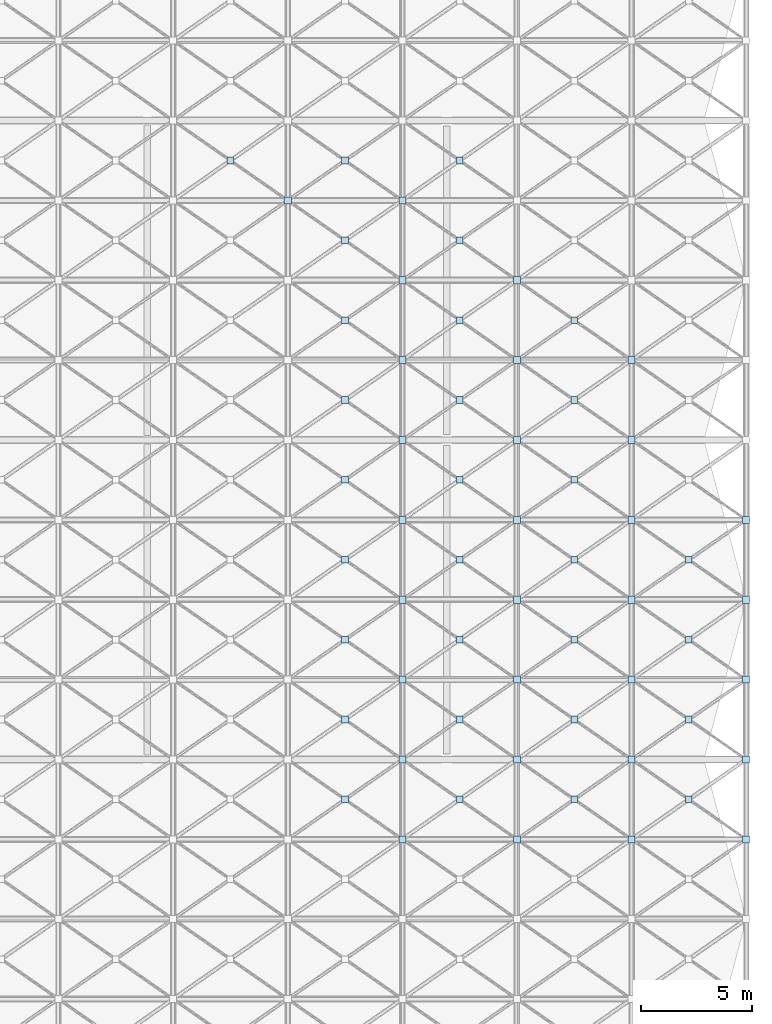
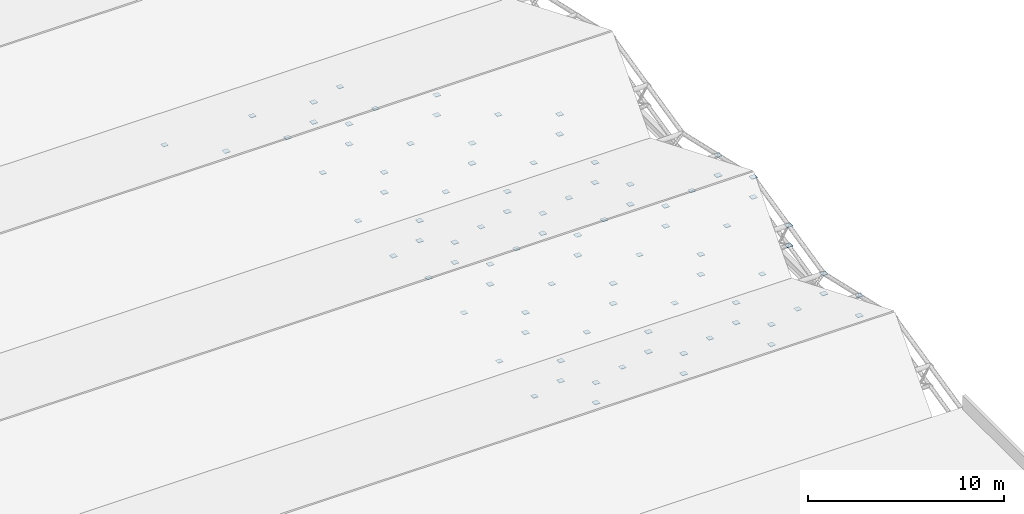
# One storey, part 96 of 110: 89 plates.
"""IFC4 building model written with IfcOpenShell, lengths in metres."""

from ifc_helpers import new_model, si_unit, direction, frame, origin, origin_2d, place, context, subcontext, project, spatial, rectangle, extrude, material, layer, layer_set, type_object, element, save


model = new_model("IFC4")

# Units and contexts
model_context = context("Model", 3, precision=1e-05, world=origin(), true_north=direction((0.0, 1.0)))
body_context = subcontext(model_context, "Body", "Model", "MODEL_VIEW")
ifc_project = project(units=[si_unit("LENGTHUNIT", "METRE"), si_unit("AREAUNIT", "SQUARE_METRE"), si_unit("VOLUMEUNIT", "CUBIC_METRE"), si_unit("PLANEANGLEUNIT", "RADIAN"), si_unit("MASSUNIT", "GRAM", prefix="KILO")], contexts=[model_context])

# Site, building, storey
site_placement = place(None, origin())
site = spatial("IfcSite", under=ifc_project, at=site_placement, CompositionType="ELEMENT")
building_placement = place(site_placement, origin())
building = spatial("IfcBuilding", under=site, at=building_placement, Name="Tamarisk Ironworks Central Station", CompositionType="ELEMENT")
storey_placement = place(building_placement, frame((0.0, 0.0, 17.39990234375)))
storey = spatial("IfcBuildingStorey", under=building, at=storey_placement, Name="L03", CompositionType="ELEMENT", Elevation=17.39990234375)

# Plates
ifc_material = material(Name="Structural steel S355J2H", Category="steel")
ifc_layer = layer(ifc_material, 0.02587890625)
ifc_layer_set = layer_set([ifc_layer], Name="Structural steel S355J2H")
plate_type = type_object("IfcPlateType", Name="PL-ND26", PredefinedType="SHEET", material=ifc_layer_set)
plate_1_placement = place(storey_placement, frame((164.5, 32.39990234375, 0.342041015625), z_axis=(0.0, 0.0, 1.0), x_axis=(1.0, 0.0, 0.0)))
element("IfcPlate", 1, at=plate_1_placement, inside=storey, type_object=plate_type, Name="Space-frame collector node plate 0616", PredefinedType="SHEET", context=body_context, shape_type="SweptSolid", body=[
    extrude(rectangle(XDim=0.320068359375, YDim=0.320068359375, at=origin_2d()), origin(), (0.0, 0.0, 1.0), 0.02587890625),
])
plate_2_placement = place(storey_placement, frame((161.916748046875, 34.199951171875, -0.6953125), z_axis=(0.0, 0.0, 1.0), x_axis=(1.0, 0.0, 0.0)))
element("IfcPlate", 2, at=plate_2_placement, inside=storey, type_object=plate_type, Name="Space-frame X-brace crossing gusset plate 0617", PredefinedType="SHEET", context=body_context, shape_type="SweptSolid", body=[
    extrude(rectangle(XDim=0.300048828125, YDim=0.300048828125, at=origin_2d()), origin(), (0.0, 0.0, 1.0), 0.02587890625),
])
for number, where, z_axis, x_axis, name in (
    (3, (164.5, 32.39990234375, -0.907958984375), (0.0, 0.0, 1.0), (1.0, 0.0, 0.0), "Space-frame collector node plate 0618"),
    (4, (164.5, 36.0, -0.48291015625), (0.0, 0.0, 1.0), (1.0, 0.0, 0.0), "Space-frame collector node plate 0619"),
    (5, (169.666748046875, 32.39990234375, 0.342041015625), (0.0, 0.0, 1.0), (1.0, 0.0, 0.0), "Space-frame collector node plate 0627"),
):
    element("IfcPlate", number, at=place(storey_placement, frame(where, z_axis=z_axis, x_axis=x_axis)), inside=storey, type_object=plate_type, Name=name, PredefinedType="SHEET", context=body_context, shape_type="SweptSolid", body=[
        extrude(rectangle(XDim=0.320068359375, YDim=0.320068359375, at=origin_2d()), origin(), (0.0, 0.0, 1.0), 0.02587890625),
    ])
plate_3_placement = place(storey_placement, frame((167.083251953125, 34.199951171875, -0.6953125), z_axis=(0.0, 0.0, 1.0), x_axis=(1.0, 0.0, 0.0)))
element("IfcPlate", 6, at=plate_3_placement, inside=storey, type_object=plate_type, Name="Space-frame X-brace crossing gusset plate 0628", PredefinedType="SHEET", context=body_context, shape_type="SweptSolid", body=[
    extrude(rectangle(XDim=0.300048828125, YDim=0.300048828125, at=origin_2d()), origin(), (0.0, 0.0, 1.0), 0.02587890625),
])
for number, where, z_axis, x_axis, name in (
    (7, (169.666748046875, 32.39990234375, -0.907958984375), (0.0, 0.0, 1.0), (1.0, 0.0, 0.0), "Space-frame collector node plate 0629"),
    (8, (169.666748046875, 36.0, -0.48291015625), (0.0, 0.0, 1.0), (1.0, 0.0, 0.0), "Space-frame collector node plate 0630"),
    (9, (174.833251953125, 32.39990234375, 0.342041015625), (0.0, 0.0, 1.0), (1.0, 0.0, 0.0), "Space-frame collector node plate 0639"),
):
    element("IfcPlate", number, at=place(storey_placement, frame(where, z_axis=z_axis, x_axis=x_axis)), inside=storey, type_object=plate_type, Name=name, PredefinedType="SHEET", context=body_context, shape_type="SweptSolid", body=[
        extrude(rectangle(XDim=0.320068359375, YDim=0.320068359375, at=origin_2d()), origin(), (0.0, 0.0, 1.0), 0.02587890625),
    ])
plate_4_placement = place(storey_placement, frame((172.25, 34.199951171875, -0.6953125), z_axis=(0.0, 0.0, 1.0), x_axis=(1.0, 0.0, 0.0)))
element("IfcPlate", 10, at=plate_4_placement, inside=storey, type_object=plate_type, Name="Space-frame X-brace crossing gusset plate 0640", PredefinedType="SHEET", context=body_context, shape_type="SweptSolid", body=[
    extrude(rectangle(XDim=0.300048828125, YDim=0.300048828125, at=origin_2d()), origin(), (0.0, 0.0, 1.0), 0.02587890625),
])
for number, where, z_axis, x_axis, name in (
    (11, (174.833251953125, 32.39990234375, -0.907958984375), (0.0, 0.0, 1.0), (1.0, 0.0, 0.0), "Space-frame collector node plate 0641"),
    (12, (174.833251953125, 36.0, -0.48291015625), (0.0, 0.0, 1.0), (1.0, 0.0, 0.0), "Space-frame collector node plate 0642"),
    (13, (180.0, 32.39990234375, 0.342041015625), (0.0, 0.0, 1.0), (1.0, 0.0, 0.0), "Space-frame collector node plate 0651"),
):
    element("IfcPlate", number, at=place(storey_placement, frame(where, z_axis=z_axis, x_axis=x_axis)), inside=storey, type_object=plate_type, Name=name, PredefinedType="SHEET", context=body_context, shape_type="SweptSolid", body=[
        extrude(rectangle(XDim=0.320068359375, YDim=0.320068359375, at=origin_2d()), origin(), (0.0, 0.0, 1.0), 0.02587890625),
    ])
plate_5_placement = place(storey_placement, frame((177.416748046875, 34.199951171875, -0.6953125), z_axis=(0.0, 0.0, 1.0), x_axis=(1.0, 0.0, 0.0)))
element("IfcPlate", 14, at=plate_5_placement, inside=storey, type_object=plate_type, Name="Space-frame X-brace crossing gusset plate 0652", PredefinedType="SHEET", context=body_context, shape_type="SweptSolid", body=[
    extrude(rectangle(XDim=0.300048828125, YDim=0.300048828125, at=origin_2d()), origin(), (0.0, 0.0, 1.0), 0.02587890625),
])
for number, where, z_axis, x_axis, name in (
    (15, (180.0, 32.39990234375, -0.907958984375), (0.0, 0.0, 1.0), (1.0, 0.0, 0.0), "Space-frame collector node plate 0653"),
    (16, (180.0, 36.0, -0.48291015625), (0.0, 0.0, 1.0), (1.0, 0.0, 0.0), "Space-frame collector node plate 0654"),
):
    element("IfcPlate", number, at=place(storey_placement, frame(where, z_axis=z_axis, x_axis=x_axis)), inside=storey, type_object=plate_type, Name=name, PredefinedType="SHEET", context=body_context, shape_type="SweptSolid", body=[
        extrude(rectangle(XDim=0.320068359375, YDim=0.320068359375, at=origin_2d()), origin(), (0.0, 0.0, 1.0), 0.02587890625),
    ])
plate_6_placement = place(storey_placement, frame((161.916748046875, 37.800048828125, -0.6953125), z_axis=(0.0, 0.0, 1.0), x_axis=(1.0, 0.0, 0.0)))
element("IfcPlate", 17, at=plate_6_placement, inside=storey, type_object=plate_type, Name="Space-frame X-brace crossing gusset plate 0759", PredefinedType="SHEET", context=body_context, shape_type="SweptSolid", body=[
    extrude(rectangle(XDim=0.300048828125, YDim=0.300048828125, at=origin_2d()), origin(), (0.0, 0.0, 1.0), 0.02587890625),
])
for number, where, z_axis, x_axis, name in (
    (18, (164.5, 36.0, -1.73291015625), (0.0, 0.0, 1.0), (1.0, 0.0, 0.0), "Space-frame collector node plate 0760"),
    (19, (164.5, 39.60009765625, 0.342041015625), (0.0, 0.0, 1.0), (1.0, 0.0, 0.0), "Space-frame collector node plate 0761"),
):
    element("IfcPlate", number, at=place(storey_placement, frame(where, z_axis=z_axis, x_axis=x_axis)), inside=storey, type_object=plate_type, Name=name, PredefinedType="SHEET", context=body_context, shape_type="SweptSolid", body=[
        extrude(rectangle(XDim=0.320068359375, YDim=0.320068359375, at=origin_2d()), origin(), (0.0, 0.0, 1.0), 0.02587890625),
    ])
plate_7_placement = place(storey_placement, frame((161.916748046875, 41.39990234375, 0.129638671875), z_axis=(0.0, 0.0, 1.0), x_axis=(1.0, 0.0, 0.0)))
element("IfcPlate", 20, at=plate_7_placement, inside=storey, type_object=plate_type, Name="Space-frame X-brace crossing gusset plate 0762", PredefinedType="SHEET", context=body_context, shape_type="SweptSolid", body=[
    extrude(rectangle(XDim=0.300048828125, YDim=0.300048828125, at=origin_2d()), origin(), (0.0, 0.0, 1.0), 0.02587890625),
])
for number, where, z_axis, x_axis, name in (
    (21, (164.5, 39.60009765625, -0.907958984375), (0.0, 0.0, 1.0), (1.0, 0.0, 0.0), "Space-frame collector node plate 0763"),
    (22, (164.5, 43.199951171875, 1.167236328125), (0.0, 0.0, 1.0), (1.0, 0.0, 0.0), "Space-frame collector node plate 0764"),
):
    element("IfcPlate", number, at=place(storey_placement, frame(where, z_axis=z_axis, x_axis=x_axis)), inside=storey, type_object=plate_type, Name=name, PredefinedType="SHEET", context=body_context, shape_type="SweptSolid", body=[
        extrude(rectangle(XDim=0.320068359375, YDim=0.320068359375, at=origin_2d()), origin(), (0.0, 0.0, 1.0), 0.02587890625),
    ])
plate_8_placement = place(storey_placement, frame((161.916748046875, 45.0, 0.129638671875), z_axis=(0.0, 0.0, 1.0), x_axis=(1.0, 0.0, 0.0)))
element("IfcPlate", 23, at=plate_8_placement, inside=storey, type_object=plate_type, Name="Space-frame X-brace crossing gusset plate 0765", PredefinedType="SHEET", context=body_context, shape_type="SweptSolid", body=[
    extrude(rectangle(XDim=0.300048828125, YDim=0.300048828125, at=origin_2d()), origin(), (0.0, 0.0, 1.0), 0.02587890625),
])
for number, where, z_axis, x_axis, name in (
    (24, (164.5, 43.199951171875, -0.082763671875), (0.0, 0.0, 1.0), (1.0, 0.0, 0.0), "Space-frame collector node plate 0766"),
    (25, (164.5, 46.800048828125, 0.342041015625), (0.0, 0.0, 1.0), (1.0, 0.0, 0.0), "Space-frame collector node plate 0767"),
):
    element("IfcPlate", number, at=place(storey_placement, frame(where, z_axis=z_axis, x_axis=x_axis)), inside=storey, type_object=plate_type, Name=name, PredefinedType="SHEET", context=body_context, shape_type="SweptSolid", body=[
        extrude(rectangle(XDim=0.320068359375, YDim=0.320068359375, at=origin_2d()), origin(), (0.0, 0.0, 1.0), 0.02587890625),
    ])
plate_9_placement = place(storey_placement, frame((161.916748046875, 48.60009765625, -0.6953125), z_axis=(0.0, 0.0, 1.0), x_axis=(1.0, 0.0, 0.0)))
element("IfcPlate", 26, at=plate_9_placement, inside=storey, type_object=plate_type, Name="Space-frame X-brace crossing gusset plate 0768", PredefinedType="SHEET", context=body_context, shape_type="SweptSolid", body=[
    extrude(rectangle(XDim=0.300048828125, YDim=0.300048828125, at=origin_2d()), origin(), (0.0, 0.0, 1.0), 0.02587890625),
])
for number, where, z_axis, x_axis, name in (
    (27, (164.5, 46.800048828125, -0.907958984375), (0.0, 0.0, 1.0), (1.0, 0.0, 0.0), "Space-frame collector node plate 0769"),
    (28, (164.5, 50.39990234375, -0.48291015625), (0.0, 0.0, 1.0), (1.0, 0.0, 0.0), "Space-frame collector node plate 0770"),
):
    element("IfcPlate", number, at=place(storey_placement, frame(where, z_axis=z_axis, x_axis=x_axis)), inside=storey, type_object=plate_type, Name=name, PredefinedType="SHEET", context=body_context, shape_type="SweptSolid", body=[
        extrude(rectangle(XDim=0.320068359375, YDim=0.320068359375, at=origin_2d()), origin(), (0.0, 0.0, 1.0), 0.02587890625),
    ])
plate_10_placement = place(storey_placement, frame((167.083251953125, 37.800048828125, -0.6953125), z_axis=(0.0, 0.0, 1.0), x_axis=(1.0, 0.0, 0.0)))
element("IfcPlate", 29, at=plate_10_placement, inside=storey, type_object=plate_type, Name="Space-frame X-brace crossing gusset plate 0771", PredefinedType="SHEET", context=body_context, shape_type="SweptSolid", body=[
    extrude(rectangle(XDim=0.300048828125, YDim=0.300048828125, at=origin_2d()), origin(), (0.0, 0.0, 1.0), 0.02587890625),
])
for number, where, z_axis, x_axis, name in (
    (30, (169.666748046875, 36.0, -1.73291015625), (0.0, 0.0, 1.0), (1.0, 0.0, 0.0), "Space-frame collector node plate 0772"),
    (31, (169.666748046875, 39.60009765625, 0.342041015625), (0.0, 0.0, 1.0), (1.0, 0.0, 0.0), "Space-frame collector node plate 0773"),
):
    element("IfcPlate", number, at=place(storey_placement, frame(where, z_axis=z_axis, x_axis=x_axis)), inside=storey, type_object=plate_type, Name=name, PredefinedType="SHEET", context=body_context, shape_type="SweptSolid", body=[
        extrude(rectangle(XDim=0.320068359375, YDim=0.320068359375, at=origin_2d()), origin(), (0.0, 0.0, 1.0), 0.02587890625),
    ])
plate_11_placement = place(storey_placement, frame((167.083251953125, 41.39990234375, 0.129638671875), z_axis=(0.0, 0.0, 1.0), x_axis=(1.0, 0.0, 0.0)))
element("IfcPlate", 32, at=plate_11_placement, inside=storey, type_object=plate_type, Name="Space-frame X-brace crossing gusset plate 0774", PredefinedType="SHEET", context=body_context, shape_type="SweptSolid", body=[
    extrude(rectangle(XDim=0.300048828125, YDim=0.300048828125, at=origin_2d()), origin(), (0.0, 0.0, 1.0), 0.02587890625),
])
for number, where, z_axis, x_axis, name in (
    (33, (169.666748046875, 39.60009765625, -0.907958984375), (0.0, 0.0, 1.0), (1.0, 0.0, 0.0), "Space-frame collector node plate 0775"),
    (34, (169.666748046875, 43.199951171875, 1.167236328125), (0.0, 0.0, 1.0), (1.0, 0.0, 0.0), "Space-frame collector node plate 0776"),
):
    element("IfcPlate", number, at=place(storey_placement, frame(where, z_axis=z_axis, x_axis=x_axis)), inside=storey, type_object=plate_type, Name=name, PredefinedType="SHEET", context=body_context, shape_type="SweptSolid", body=[
        extrude(rectangle(XDim=0.320068359375, YDim=0.320068359375, at=origin_2d()), origin(), (0.0, 0.0, 1.0), 0.02587890625),
    ])
plate_12_placement = place(storey_placement, frame((167.083251953125, 45.0, 0.129638671875), z_axis=(0.0, 0.0, 1.0), x_axis=(1.0, 0.0, 0.0)))
element("IfcPlate", 35, at=plate_12_placement, inside=storey, type_object=plate_type, Name="Space-frame X-brace crossing gusset plate 0777", PredefinedType="SHEET", context=body_context, shape_type="SweptSolid", body=[
    extrude(rectangle(XDim=0.300048828125, YDim=0.300048828125, at=origin_2d()), origin(), (0.0, 0.0, 1.0), 0.02587890625),
])
for number, where, z_axis, x_axis, name in (
    (36, (169.666748046875, 43.199951171875, -0.082763671875), (0.0, 0.0, 1.0), (1.0, 0.0, 0.0), "Space-frame collector node plate 0778"),
    (37, (169.666748046875, 46.800048828125, 0.342041015625), (0.0, 0.0, 1.0), (1.0, 0.0, 0.0), "Space-frame collector node plate 0779"),
):
    element("IfcPlate", number, at=place(storey_placement, frame(where, z_axis=z_axis, x_axis=x_axis)), inside=storey, type_object=plate_type, Name=name, PredefinedType="SHEET", context=body_context, shape_type="SweptSolid", body=[
        extrude(rectangle(XDim=0.320068359375, YDim=0.320068359375, at=origin_2d()), origin(), (0.0, 0.0, 1.0), 0.02587890625),
    ])
plate_13_placement = place(storey_placement, frame((167.083251953125, 48.60009765625, -0.6953125), z_axis=(0.0, 0.0, 1.0), x_axis=(1.0, 0.0, 0.0)))
element("IfcPlate", 38, at=plate_13_placement, inside=storey, type_object=plate_type, Name="Space-frame X-brace crossing gusset plate 0780", PredefinedType="SHEET", context=body_context, shape_type="SweptSolid", body=[
    extrude(rectangle(XDim=0.300048828125, YDim=0.300048828125, at=origin_2d()), origin(), (0.0, 0.0, 1.0), 0.02587890625),
])
for number, where, z_axis, x_axis, name in (
    (39, (169.666748046875, 46.800048828125, -0.907958984375), (0.0, 0.0, 1.0), (1.0, 0.0, 0.0), "Space-frame collector node plate 0781"),
    (40, (169.666748046875, 50.39990234375, -0.48291015625), (0.0, 0.0, 1.0), (1.0, 0.0, 0.0), "Space-frame collector node plate 0782"),
):
    element("IfcPlate", number, at=place(storey_placement, frame(where, z_axis=z_axis, x_axis=x_axis)), inside=storey, type_object=plate_type, Name=name, PredefinedType="SHEET", context=body_context, shape_type="SweptSolid", body=[
        extrude(rectangle(XDim=0.320068359375, YDim=0.320068359375, at=origin_2d()), origin(), (0.0, 0.0, 1.0), 0.02587890625),
    ])
plate_14_placement = place(storey_placement, frame((172.25, 37.800048828125, -0.6953125), z_axis=(0.0, 0.0, 1.0), x_axis=(1.0, 0.0, 0.0)))
element("IfcPlate", 41, at=plate_14_placement, inside=storey, type_object=plate_type, Name="Space-frame X-brace crossing gusset plate 0783", PredefinedType="SHEET", context=body_context, shape_type="SweptSolid", body=[
    extrude(rectangle(XDim=0.300048828125, YDim=0.300048828125, at=origin_2d()), origin(), (0.0, 0.0, 1.0), 0.02587890625),
])
for number, where, z_axis, x_axis, name in (
    (42, (174.833251953125, 36.0, -1.73291015625), (0.0, 0.0, 1.0), (1.0, 0.0, 0.0), "Space-frame collector node plate 0784"),
    (43, (174.833251953125, 39.60009765625, 0.342041015625), (0.0, 0.0, 1.0), (1.0, 0.0, 0.0), "Space-frame collector node plate 0785"),
):
    element("IfcPlate", number, at=place(storey_placement, frame(where, z_axis=z_axis, x_axis=x_axis)), inside=storey, type_object=plate_type, Name=name, PredefinedType="SHEET", context=body_context, shape_type="SweptSolid", body=[
        extrude(rectangle(XDim=0.320068359375, YDim=0.320068359375, at=origin_2d()), origin(), (0.0, 0.0, 1.0), 0.02587890625),
    ])
plate_15_placement = place(storey_placement, frame((172.25, 41.39990234375, 0.129638671875), z_axis=(0.0, 0.0, 1.0), x_axis=(1.0, 0.0, 0.0)))
element("IfcPlate", 44, at=plate_15_placement, inside=storey, type_object=plate_type, Name="Space-frame X-brace crossing gusset plate 0786", PredefinedType="SHEET", context=body_context, shape_type="SweptSolid", body=[
    extrude(rectangle(XDim=0.300048828125, YDim=0.300048828125, at=origin_2d()), origin(), (0.0, 0.0, 1.0), 0.02587890625),
])
for number, where, z_axis, x_axis, name in (
    (45, (174.833251953125, 39.60009765625, -0.907958984375), (0.0, 0.0, 1.0), (1.0, 0.0, 0.0), "Space-frame collector node plate 0787"),
    (46, (174.833251953125, 43.199951171875, 1.167236328125), (0.0, 0.0, 1.0), (1.0, 0.0, 0.0), "Space-frame collector node plate 0788"),
):
    element("IfcPlate", number, at=place(storey_placement, frame(where, z_axis=z_axis, x_axis=x_axis)), inside=storey, type_object=plate_type, Name=name, PredefinedType="SHEET", context=body_context, shape_type="SweptSolid", body=[
        extrude(rectangle(XDim=0.320068359375, YDim=0.320068359375, at=origin_2d()), origin(), (0.0, 0.0, 1.0), 0.02587890625),
    ])
plate_16_placement = place(storey_placement, frame((172.25, 45.0, 0.129638671875), z_axis=(0.0, 0.0, 1.0), x_axis=(1.0, 0.0, 0.0)))
element("IfcPlate", 47, at=plate_16_placement, inside=storey, type_object=plate_type, Name="Space-frame X-brace crossing gusset plate 0789", PredefinedType="SHEET", context=body_context, shape_type="SweptSolid", body=[
    extrude(rectangle(XDim=0.300048828125, YDim=0.300048828125, at=origin_2d()), origin(), (0.0, 0.0, 1.0), 0.02587890625),
])
for number, where, z_axis, x_axis, name in (
    (48, (174.833251953125, 43.199951171875, -0.082763671875), (0.0, 0.0, 1.0), (1.0, 0.0, 0.0), "Space-frame collector node plate 0790"),
    (49, (174.833251953125, 46.800048828125, 0.342041015625), (0.0, 0.0, 1.0), (1.0, 0.0, 0.0), "Space-frame collector node plate 0791"),
):
    element("IfcPlate", number, at=place(storey_placement, frame(where, z_axis=z_axis, x_axis=x_axis)), inside=storey, type_object=plate_type, Name=name, PredefinedType="SHEET", context=body_context, shape_type="SweptSolid", body=[
        extrude(rectangle(XDim=0.320068359375, YDim=0.320068359375, at=origin_2d()), origin(), (0.0, 0.0, 1.0), 0.02587890625),
    ])
plate_17_placement = place(storey_placement, frame((172.25, 48.60009765625, -0.6953125), z_axis=(0.0, 0.0, 1.0), x_axis=(1.0, 0.0, 0.0)))
element("IfcPlate", 50, at=plate_17_placement, inside=storey, type_object=plate_type, Name="Space-frame X-brace crossing gusset plate 0792", PredefinedType="SHEET", context=body_context, shape_type="SweptSolid", body=[
    extrude(rectangle(XDim=0.300048828125, YDim=0.300048828125, at=origin_2d()), origin(), (0.0, 0.0, 1.0), 0.02587890625),
])
for number, where, z_axis, x_axis, name in (
    (51, (174.833251953125, 46.800048828125, -0.907958984375), (0.0, 0.0, 1.0), (1.0, 0.0, 0.0), "Space-frame collector node plate 0793"),
    (52, (174.833251953125, 50.39990234375, -0.48291015625), (0.0, 0.0, 1.0), (1.0, 0.0, 0.0), "Space-frame collector node plate 0794"),
):
    element("IfcPlate", number, at=place(storey_placement, frame(where, z_axis=z_axis, x_axis=x_axis)), inside=storey, type_object=plate_type, Name=name, PredefinedType="SHEET", context=body_context, shape_type="SweptSolid", body=[
        extrude(rectangle(XDim=0.320068359375, YDim=0.320068359375, at=origin_2d()), origin(), (0.0, 0.0, 1.0), 0.02587890625),
    ])
plate_18_placement = place(storey_placement, frame((177.416748046875, 37.800048828125, -0.6953125), z_axis=(0.0, 0.0, 1.0), x_axis=(1.0, 0.0, 0.0)))
element("IfcPlate", 53, at=plate_18_placement, inside=storey, type_object=plate_type, Name="Space-frame X-brace crossing gusset plate 0795", PredefinedType="SHEET", context=body_context, shape_type="SweptSolid", body=[
    extrude(rectangle(XDim=0.300048828125, YDim=0.300048828125, at=origin_2d()), origin(), (0.0, 0.0, 1.0), 0.02587890625),
])
for number, where, z_axis, x_axis, name in (
    (54, (180.0, 36.0, -1.73291015625), (0.0, 0.0, 1.0), (1.0, 0.0, 0.0), "Space-frame collector node plate 0796"),
    (55, (180.0, 39.60009765625, 0.342041015625), (0.0, 0.0, 1.0), (1.0, 0.0, 0.0), "Space-frame collector node plate 0797"),
):
    element("IfcPlate", number, at=place(storey_placement, frame(where, z_axis=z_axis, x_axis=x_axis)), inside=storey, type_object=plate_type, Name=name, PredefinedType="SHEET", context=body_context, shape_type="SweptSolid", body=[
        extrude(rectangle(XDim=0.320068359375, YDim=0.320068359375, at=origin_2d()), origin(), (0.0, 0.0, 1.0), 0.02587890625),
    ])
plate_19_placement = place(storey_placement, frame((177.416748046875, 41.39990234375, 0.129638671875), z_axis=(0.0, 0.0, 1.0), x_axis=(1.0, 0.0, 0.0)))
element("IfcPlate", 56, at=plate_19_placement, inside=storey, type_object=plate_type, Name="Space-frame X-brace crossing gusset plate 0798", PredefinedType="SHEET", context=body_context, shape_type="SweptSolid", body=[
    extrude(rectangle(XDim=0.300048828125, YDim=0.300048828125, at=origin_2d()), origin(), (0.0, 0.0, 1.0), 0.02587890625),
])
for number, where, z_axis, x_axis, name in (
    (57, (180.0, 39.60009765625, -0.907958984375), (0.0, 0.0, 1.0), (1.0, 0.0, 0.0), "Space-frame collector node plate 0799"),
    (58, (180.0, 43.199951171875, 1.167236328125), (0.0, 0.0, 1.0), (1.0, 0.0, 0.0), "Space-frame collector node plate 0800"),
):
    element("IfcPlate", number, at=place(storey_placement, frame(where, z_axis=z_axis, x_axis=x_axis)), inside=storey, type_object=plate_type, Name=name, PredefinedType="SHEET", context=body_context, shape_type="SweptSolid", body=[
        extrude(rectangle(XDim=0.320068359375, YDim=0.320068359375, at=origin_2d()), origin(), (0.0, 0.0, 1.0), 0.02587890625),
    ])
plate_20_placement = place(storey_placement, frame((177.416748046875, 45.0, 0.129638671875), z_axis=(0.0, 0.0, 1.0), x_axis=(1.0, 0.0, 0.0)))
element("IfcPlate", 59, at=plate_20_placement, inside=storey, type_object=plate_type, Name="Space-frame X-brace crossing gusset plate 0801", PredefinedType="SHEET", context=body_context, shape_type="SweptSolid", body=[
    extrude(rectangle(XDim=0.300048828125, YDim=0.300048828125, at=origin_2d()), origin(), (0.0, 0.0, 1.0), 0.02587890625),
])
for number, where, z_axis, x_axis, name in (
    (60, (180.0, 43.199951171875, -0.082763671875), (0.0, 0.0, 1.0), (1.0, 0.0, 0.0), "Space-frame collector node plate 0802"),
    (61, (180.0, 46.800048828125, 0.342041015625), (0.0, 0.0, 1.0), (1.0, 0.0, 0.0), "Space-frame collector node plate 0803"),
    (62, (180.0, 46.800048828125, -0.907958984375), (0.0, 0.0, 1.0), (1.0, 0.0, 0.0), "Space-frame collector node plate 0805"),
):
    element("IfcPlate", number, at=place(storey_placement, frame(where, z_axis=z_axis, x_axis=x_axis)), inside=storey, type_object=plate_type, Name=name, PredefinedType="SHEET", context=body_context, shape_type="SweptSolid", body=[
        extrude(rectangle(XDim=0.320068359375, YDim=0.320068359375, at=origin_2d()), origin(), (0.0, 0.0, 1.0), 0.02587890625),
    ])
plate_21_placement = place(storey_placement, frame((156.75, 63.0, -0.6953125), z_axis=(0.0, 0.0, 1.0), x_axis=(1.0, 0.0, 0.0)))
element("IfcPlate", 63, at=plate_21_placement, inside=storey, type_object=plate_type, Name="Space-frame X-brace crossing gusset plate 0908", PredefinedType="SHEET", context=body_context, shape_type="SweptSolid", body=[
    extrude(rectangle(XDim=0.300048828125, YDim=0.300048828125, at=origin_2d()), origin(), (0.0, 0.0, 1.0), 0.02587890625),
])
plate_22_placement = place(storey_placement, frame((159.333251953125, 61.199951171875, -0.907958984375), z_axis=(0.0, 0.0, 1.0), x_axis=(1.0, 0.0, 0.0)))
element("IfcPlate", 64, at=plate_22_placement, inside=storey, type_object=plate_type, Name="Space-frame collector node plate 0909", PredefinedType="SHEET", context=body_context, shape_type="SweptSolid", body=[
    extrude(rectangle(XDim=0.320068359375, YDim=0.320068359375, at=origin_2d()), origin(), (0.0, 0.0, 1.0), 0.02587890625),
])
plate_23_placement = place(storey_placement, frame((161.916748046875, 52.199951171875, -0.6953125), z_axis=(0.0, 0.0, 1.0), x_axis=(1.0, 0.0, 0.0)))
element("IfcPlate", 65, at=plate_23_placement, inside=storey, type_object=plate_type, Name="Space-frame X-brace crossing gusset plate 0911", PredefinedType="SHEET", context=body_context, shape_type="SweptSolid", body=[
    extrude(rectangle(XDim=0.300048828125, YDim=0.300048828125, at=origin_2d()), origin(), (0.0, 0.0, 1.0), 0.02587890625),
])
for number, where, z_axis, x_axis, name in (
    (66, (164.5, 50.39990234375, -1.73291015625), (0.0, 0.0, 1.0), (1.0, 0.0, 0.0), "Space-frame collector node plate 0912"),
    (67, (164.5, 54.0, 0.342041015625), (0.0, 0.0, 1.0), (1.0, 0.0, 0.0), "Space-frame collector node plate 0913"),
):
    element("IfcPlate", number, at=place(storey_placement, frame(where, z_axis=z_axis, x_axis=x_axis)), inside=storey, type_object=plate_type, Name=name, PredefinedType="SHEET", context=body_context, shape_type="SweptSolid", body=[
        extrude(rectangle(XDim=0.320068359375, YDim=0.320068359375, at=origin_2d()), origin(), (0.0, 0.0, 1.0), 0.02587890625),
    ])
plate_24_placement = place(storey_placement, frame((161.916748046875, 55.800048828125, 0.129638671875), z_axis=(0.0, 0.0, 1.0), x_axis=(1.0, 0.0, 0.0)))
element("IfcPlate", 68, at=plate_24_placement, inside=storey, type_object=plate_type, Name="Space-frame X-brace crossing gusset plate 0914", PredefinedType="SHEET", context=body_context, shape_type="SweptSolid", body=[
    extrude(rectangle(XDim=0.300048828125, YDim=0.300048828125, at=origin_2d()), origin(), (0.0, 0.0, 1.0), 0.02587890625),
])
for number, where, z_axis, x_axis, name in (
    (69, (164.5, 54.0, -0.907958984375), (0.0, 0.0, 1.0), (1.0, 0.0, 0.0), "Space-frame collector node plate 0915"),
    (70, (164.5, 57.60009765625, 1.167236328125), (0.0, 0.0, 1.0), (1.0, 0.0, 0.0), "Space-frame collector node plate 0916"),
):
    element("IfcPlate", number, at=place(storey_placement, frame(where, z_axis=z_axis, x_axis=x_axis)), inside=storey, type_object=plate_type, Name=name, PredefinedType="SHEET", context=body_context, shape_type="SweptSolid", body=[
        extrude(rectangle(XDim=0.320068359375, YDim=0.320068359375, at=origin_2d()), origin(), (0.0, 0.0, 1.0), 0.02587890625),
    ])
plate_25_placement = place(storey_placement, frame((161.916748046875, 59.39990234375, 0.129638671875), z_axis=(0.0, 0.0, 1.0), x_axis=(1.0, 0.0, 0.0)))
element("IfcPlate", 71, at=plate_25_placement, inside=storey, type_object=plate_type, Name="Space-frame X-brace crossing gusset plate 0917", PredefinedType="SHEET", context=body_context, shape_type="SweptSolid", body=[
    extrude(rectangle(XDim=0.300048828125, YDim=0.300048828125, at=origin_2d()), origin(), (0.0, 0.0, 1.0), 0.02587890625),
])
for number, where, z_axis, x_axis, name in (
    (72, (164.5, 57.60009765625, -0.082763671875), (0.0, 0.0, 1.0), (1.0, 0.0, 0.0), "Space-frame collector node plate 0918"),
    (73, (164.5, 61.199951171875, 0.342041015625), (0.0, 0.0, 1.0), (1.0, 0.0, 0.0), "Space-frame collector node plate 0919"),
):
    element("IfcPlate", number, at=place(storey_placement, frame(where, z_axis=z_axis, x_axis=x_axis)), inside=storey, type_object=plate_type, Name=name, PredefinedType="SHEET", context=body_context, shape_type="SweptSolid", body=[
        extrude(rectangle(XDim=0.320068359375, YDim=0.320068359375, at=origin_2d()), origin(), (0.0, 0.0, 1.0), 0.02587890625),
    ])
plate_26_placement = place(storey_placement, frame((161.916748046875, 63.0, -0.6953125), z_axis=(0.0, 0.0, 1.0), x_axis=(1.0, 0.0, 0.0)))
element("IfcPlate", 74, at=plate_26_placement, inside=storey, type_object=plate_type, Name="Space-frame X-brace crossing gusset plate 0920", PredefinedType="SHEET", context=body_context, shape_type="SweptSolid", body=[
    extrude(rectangle(XDim=0.300048828125, YDim=0.300048828125, at=origin_2d()), origin(), (0.0, 0.0, 1.0), 0.02587890625),
])
plate_27_placement = place(storey_placement, frame((164.5, 61.199951171875, -0.907958984375), z_axis=(0.0, 0.0, 1.0), x_axis=(1.0, 0.0, 0.0)))
element("IfcPlate", 75, at=plate_27_placement, inside=storey, type_object=plate_type, Name="Space-frame collector node plate 0921", PredefinedType="SHEET", context=body_context, shape_type="SweptSolid", body=[
    extrude(rectangle(XDim=0.320068359375, YDim=0.320068359375, at=origin_2d()), origin(), (0.0, 0.0, 1.0), 0.02587890625),
])
plate_28_placement = place(storey_placement, frame((167.083251953125, 52.199951171875, -0.6953125), z_axis=(0.0, 0.0, 1.0), x_axis=(1.0, 0.0, 0.0)))
element("IfcPlate", 76, at=plate_28_placement, inside=storey, type_object=plate_type, Name="Space-frame X-brace crossing gusset plate 0923", PredefinedType="SHEET", context=body_context, shape_type="SweptSolid", body=[
    extrude(rectangle(XDim=0.300048828125, YDim=0.300048828125, at=origin_2d()), origin(), (0.0, 0.0, 1.0), 0.02587890625),
])
for number, where, z_axis, x_axis, name in (
    (77, (169.666748046875, 50.39990234375, -1.73291015625), (0.0, 0.0, 1.0), (1.0, 0.0, 0.0), "Space-frame collector node plate 0924"),
    (78, (169.666748046875, 54.0, 0.342041015625), (0.0, 0.0, 1.0), (1.0, 0.0, 0.0), "Space-frame collector node plate 0925"),
):
    element("IfcPlate", number, at=place(storey_placement, frame(where, z_axis=z_axis, x_axis=x_axis)), inside=storey, type_object=plate_type, Name=name, PredefinedType="SHEET", context=body_context, shape_type="SweptSolid", body=[
        extrude(rectangle(XDim=0.320068359375, YDim=0.320068359375, at=origin_2d()), origin(), (0.0, 0.0, 1.0), 0.02587890625),
    ])
plate_29_placement = place(storey_placement, frame((167.083251953125, 55.800048828125, 0.129638671875), z_axis=(0.0, 0.0, 1.0), x_axis=(1.0, 0.0, 0.0)))
element("IfcPlate", 79, at=plate_29_placement, inside=storey, type_object=plate_type, Name="Space-frame X-brace crossing gusset plate 0926", PredefinedType="SHEET", context=body_context, shape_type="SweptSolid", body=[
    extrude(rectangle(XDim=0.300048828125, YDim=0.300048828125, at=origin_2d()), origin(), (0.0, 0.0, 1.0), 0.02587890625),
])
for number, where, z_axis, x_axis, name in (
    (80, (169.666748046875, 54.0, -0.907958984375), (0.0, 0.0, 1.0), (1.0, 0.0, 0.0), "Space-frame collector node plate 0927"),
    (81, (169.666748046875, 57.60009765625, 1.167236328125), (0.0, 0.0, 1.0), (1.0, 0.0, 0.0), "Space-frame collector node plate 0928"),
):
    element("IfcPlate", number, at=place(storey_placement, frame(where, z_axis=z_axis, x_axis=x_axis)), inside=storey, type_object=plate_type, Name=name, PredefinedType="SHEET", context=body_context, shape_type="SweptSolid", body=[
        extrude(rectangle(XDim=0.320068359375, YDim=0.320068359375, at=origin_2d()), origin(), (0.0, 0.0, 1.0), 0.02587890625),
    ])
plate_30_placement = place(storey_placement, frame((167.083251953125, 59.39990234375, 0.129638671875), z_axis=(0.0, 0.0, 1.0), x_axis=(1.0, 0.0, 0.0)))
element("IfcPlate", 82, at=plate_30_placement, inside=storey, type_object=plate_type, Name="Space-frame X-brace crossing gusset plate 0929", PredefinedType="SHEET", context=body_context, shape_type="SweptSolid", body=[
    extrude(rectangle(XDim=0.300048828125, YDim=0.300048828125, at=origin_2d()), origin(), (0.0, 0.0, 1.0), 0.02587890625),
])
plate_31_placement = place(storey_placement, frame((169.666748046875, 57.60009765625, -0.082763671875), z_axis=(0.0, 0.0, 1.0), x_axis=(1.0, 0.0, 0.0)))
element("IfcPlate", 83, at=plate_31_placement, inside=storey, type_object=plate_type, Name="Space-frame collector node plate 0930", PredefinedType="SHEET", context=body_context, shape_type="SweptSolid", body=[
    extrude(rectangle(XDim=0.320068359375, YDim=0.320068359375, at=origin_2d()), origin(), (0.0, 0.0, 1.0), 0.02587890625),
])
for number, where, z_axis, x_axis, name in (
    (84, (167.083251953125, 63.0, -0.6953125), (0.0, 0.0, 1.0), (1.0, 0.0, 0.0), "Space-frame X-brace crossing gusset plate 0932"),
    (85, (172.25, 52.199951171875, -0.6953125), (0.0, 0.0, 1.0), (1.0, 0.0, 0.0), "Space-frame X-brace crossing gusset plate 0935"),
):
    element("IfcPlate", number, at=place(storey_placement, frame(where, z_axis=z_axis, x_axis=x_axis)), inside=storey, type_object=plate_type, Name=name, PredefinedType="SHEET", context=body_context, shape_type="SweptSolid", body=[
        extrude(rectangle(XDim=0.300048828125, YDim=0.300048828125, at=origin_2d()), origin(), (0.0, 0.0, 1.0), 0.02587890625),
    ])
for number, where, z_axis, x_axis, name in (
    (86, (174.833251953125, 50.39990234375, -1.73291015625), (0.0, 0.0, 1.0), (1.0, 0.0, 0.0), "Space-frame collector node plate 0936"),
    (87, (174.833251953125, 54.0, 0.342041015625), (0.0, 0.0, 1.0), (1.0, 0.0, 0.0), "Space-frame collector node plate 0937"),
):
    element("IfcPlate", number, at=place(storey_placement, frame(where, z_axis=z_axis, x_axis=x_axis)), inside=storey, type_object=plate_type, Name=name, PredefinedType="SHEET", context=body_context, shape_type="SweptSolid", body=[
        extrude(rectangle(XDim=0.320068359375, YDim=0.320068359375, at=origin_2d()), origin(), (0.0, 0.0, 1.0), 0.02587890625),
    ])
plate_32_placement = place(storey_placement, frame((172.25, 55.800048828125, 0.129638671875), z_axis=(0.0, 0.0, 1.0), x_axis=(1.0, 0.0, 0.0)))
element("IfcPlate", 88, at=plate_32_placement, inside=storey, type_object=plate_type, Name="Space-frame X-brace crossing gusset plate 0938", PredefinedType="SHEET", context=body_context, shape_type="SweptSolid", body=[
    extrude(rectangle(XDim=0.300048828125, YDim=0.300048828125, at=origin_2d()), origin(), (0.0, 0.0, 1.0), 0.02587890625),
])
plate_33_placement = place(storey_placement, frame((174.833251953125, 54.0, -0.907958984375), z_axis=(0.0, 0.0, 1.0), x_axis=(1.0, 0.0, 0.0)))
element("IfcPlate", 89, at=plate_33_placement, inside=storey, type_object=plate_type, Name="Space-frame collector node plate 0939", PredefinedType="SHEET", context=body_context, shape_type="SweptSolid", body=[
    extrude(rectangle(XDim=0.320068359375, YDim=0.320068359375, at=origin_2d()), origin(), (0.0, 0.0, 1.0), 0.02587890625),
])

save(model, "model.ifc")
